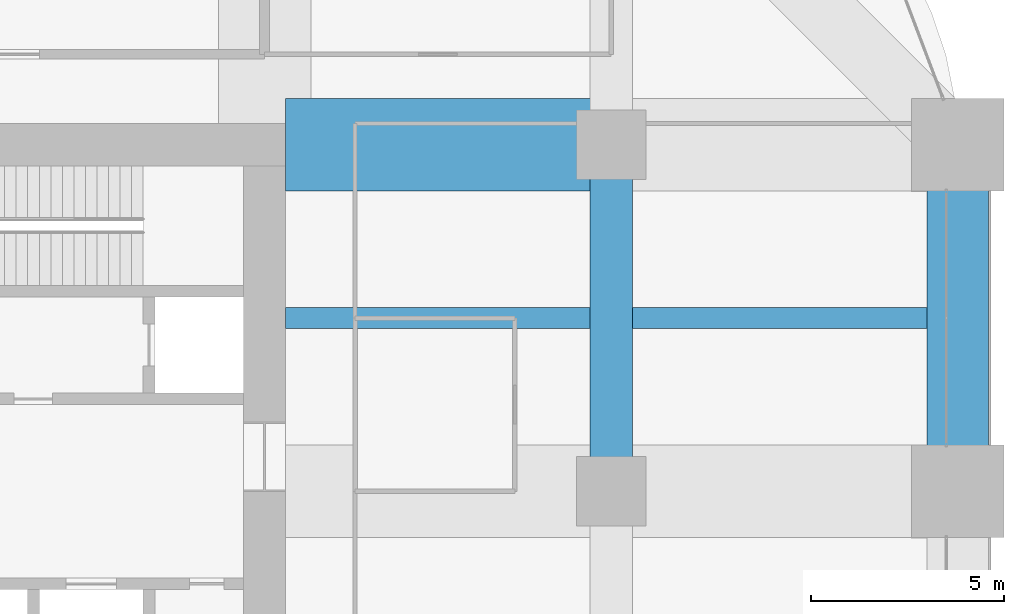
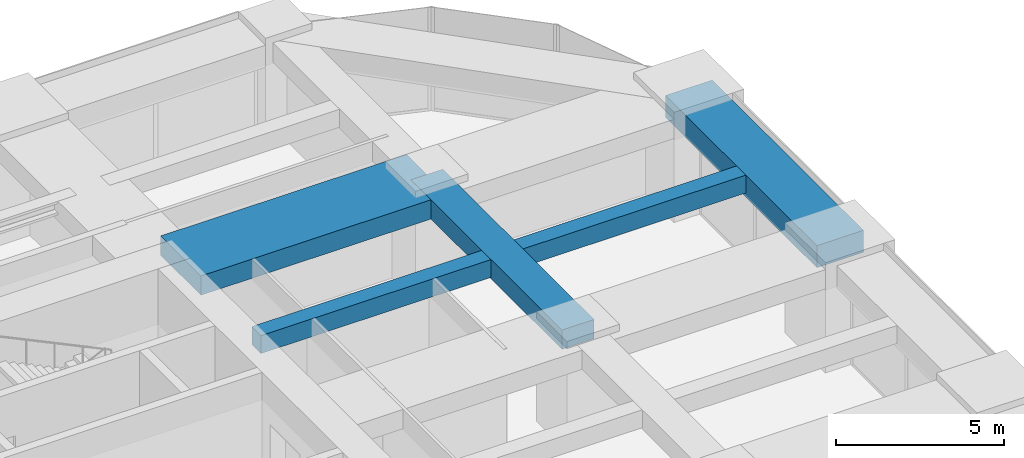
# One storey, part 32 of 42: 5 beams.
"""IFC4 building model written with IfcOpenShell, lengths in metres."""

from ifc_helpers import new_model, si_unit, direction, frame, origin, origin_2d, place, context, subcontext, project, spatial, rectangle, extrude, material, material_profile, profile_set, type_object, element, save


model = new_model("IFC4")

# Units and contexts
model_context = context("Model", 3, precision=1e-05, world=origin(), true_north=direction((0.0, 1.0)))
body_context = subcontext(model_context, "Body", "Model", "MODEL_VIEW")
ifc_project = project(units=[si_unit("LENGTHUNIT", "METRE"), si_unit("AREAUNIT", "SQUARE_METRE"), si_unit("VOLUMEUNIT", "CUBIC_METRE"), si_unit("PLANEANGLEUNIT", "RADIAN"), si_unit("MASSUNIT", "GRAM", prefix="KILO")], contexts=[model_context])

# Site, building, storey
site_placement = place(None, origin())
site = spatial("IfcSite", under=ifc_project, at=site_placement, CompositionType="ELEMENT")
building_placement = place(site_placement, origin())
building = spatial("IfcBuilding", under=site, at=building_placement, Name="Zorevar Civic Tower", CompositionType="ELEMENT")
storey_placement = place(building_placement, frame((0.0, 0.0, 149.0)))
storey = spatial("IfcBuildingStorey", under=building, at=storey_placement, Name="L36", CompositionType="ELEMENT", Elevation=149.0)

# Beams
ifc_material_1 = material(Name="Concrete C50/60", Category="concrete")
ifc_material_profile_1 = material_profile(ifc_material_1, rectangle(XDim=1.10009765625, YDim=0.699951171875, at=origin_2d()), Name="RC 1100x700")
ifc_profile_set_1 = profile_set([ifc_material_profile_1], Name="Concrete C50/60")
beam_type_1 = type_object("IfcBeamType", Name="Beam RC 1100x700", PredefinedType="BEAM", material=ifc_profile_set_1)
beam_1_placement = place(storey_placement, frame((54.0, 27.0, 3.39990234375), z_axis=(0.0, 1.0, 0.0), x_axis=(-1.0, 0.0, 0.0)))
element("IfcBeam", 1, at=beam_1_placement, inside=storey, type_object=beam_type_1, Name="Girder L37", PredefinedType="BEAM", context=body_context, shape_type="SweptSolid", body=[
    extrude(rectangle(XDim=1.10009765625, YDim=0.699951171875, at=origin_2d()), origin(), (0.0, 0.0, 1.0), 9.0),
])
ifc_material_2 = material(Name="Concrete C50/60", Category="concrete")
ifc_material_profile_2 = material_profile(ifc_material_2, rectangle(XDim=2.39990234375, YDim=0.699951171875, at=origin_2d()), Name="RC 2400x700")
ifc_profile_set_2 = profile_set([ifc_material_profile_2], Name="Concrete C50/60")
beam_type_2 = type_object("IfcBeamType", Name="Beam RC 2400x700", PredefinedType="BEAM", material=ifc_profile_set_2)
beam_2_placement = place(storey_placement, frame((45.550048828125, 36.0, 3.39990234375), z_axis=(1.0, 0.0, 0.0), x_axis=(0.0, 1.0, 0.0)))
element("IfcBeam", 2, at=beam_2_placement, inside=storey, type_object=beam_type_2, Name="Girder L37", PredefinedType="BEAM", context=body_context, shape_type="SweptSolid", body=[
    extrude(rectangle(XDim=2.39990234375, YDim=0.699951171875, at=origin_2d()), origin(), (0.0, 0.0, 1.0), 8.449951171875),
])
ifc_material_3 = material(Name="Concrete C50/60", Category="concrete")
ifc_material_profile_3 = material_profile(ifc_material_3, rectangle(XDim=0.550048828125, YDim=0.64990234375, at=origin_2d()), Name="RC 550x650")
ifc_profile_set_3 = profile_set([ifc_material_profile_3], Name="Concrete C50/60")
beam_type_3 = type_object("IfcBeamType", Name="Beam RC 550x650", PredefinedType="BEAM", material=ifc_profile_set_3)
beam_3_placement = place(storey_placement, frame((45.550048828125, 31.5, 3.425048828125), z_axis=(1.0, 0.0, 0.0), x_axis=(0.0, 1.0, 0.0)))
element("IfcBeam", 3, at=beam_3_placement, inside=storey, type_object=beam_type_3, Name="Secondary beam L37", PredefinedType="BEAM", context=body_context, shape_type="SweptSolid", body=[
    extrude(rectangle(XDim=0.550048828125, YDim=0.64990234375, at=origin_2d()), origin(), (0.0, 0.0, 1.0), 7.89990234375),
])
beam_4_placement = place(storey_placement, frame((54.550048828125, 31.5, 3.425048828125), z_axis=(1.0, 0.0, 0.0), x_axis=(0.0, 1.0, 0.0)))
element("IfcBeam", 4, at=beam_4_placement, inside=storey, type_object=beam_type_3, Name="Secondary beam L37", PredefinedType="BEAM", context=body_context, shape_type="SweptSolid", body=[
    extrude(rectangle(XDim=0.550048828125, YDim=0.64990234375, at=origin_2d()), origin(), (0.0, 0.0, 1.0), 7.64990234375),
])
ifc_material_4 = material(Name="Concrete C50/60", Category="concrete")
ifc_material_profile_4 = material_profile(ifc_material_4, rectangle(XDim=1.60009765625, YDim=0.800048828125, at=origin_2d()), Name="RC 1600x800")
ifc_profile_set_4 = profile_set([ifc_material_profile_4], Name="Concrete C50/60")
beam_type_4 = type_object("IfcBeamType", Name="Edge beam RC 1600x800", PredefinedType="SPANDREL", material=ifc_profile_set_4)
beam_5_placement = place(storey_placement, frame((63.0, 27.0, 3.35009765625), z_axis=(0.0, 1.0, 0.0), x_axis=(-1.0, 0.0, 0.0)))
element("IfcBeam", 5, at=beam_5_placement, inside=storey, type_object=beam_type_4, Name="Edge beam L37", PredefinedType="SPANDREL", context=body_context, shape_type="SweptSolid", body=[
    extrude(rectangle(XDim=1.60009765625, YDim=0.800048828125, at=origin_2d()), origin(), (0.0, 0.0, 1.0), 9.0),
])

save(model, "model.ifc")
